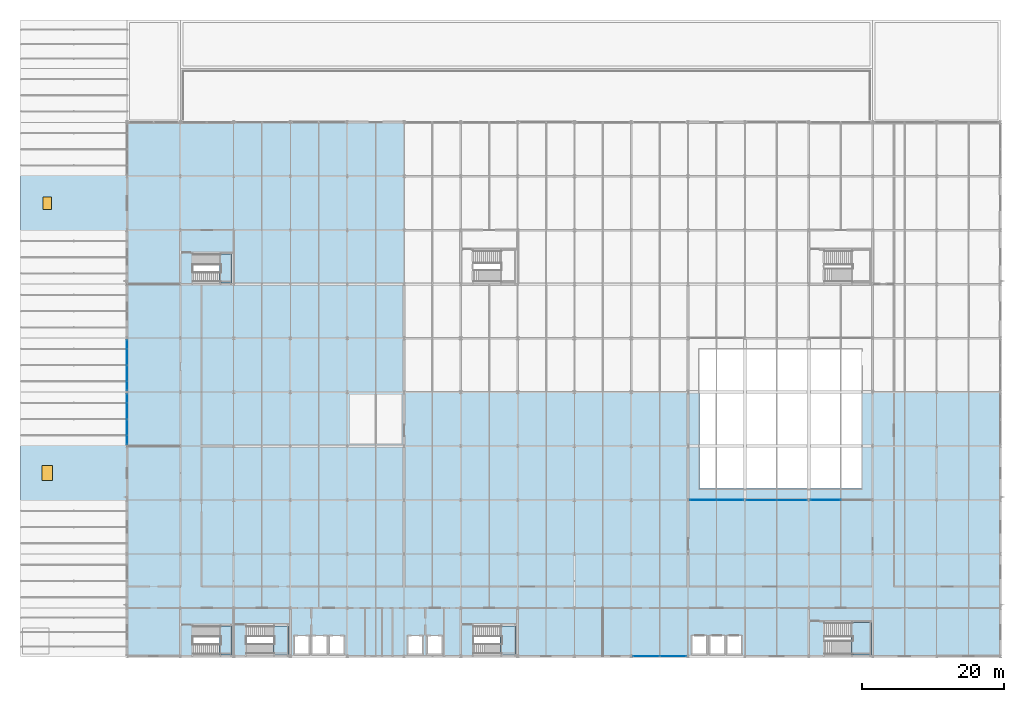
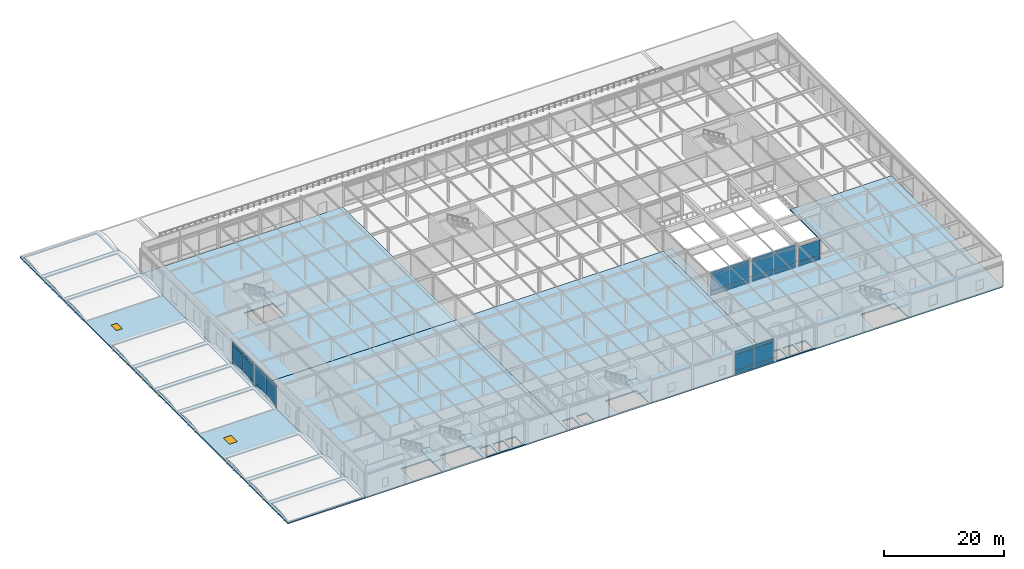
"""IFC4 building model written with IfcOpenShell, lengths in metres."""

from ifc_helpers import new_model, si_unit, direction, frame, origin, origin_2d, place, context, subcontext, project, spatial, polyline, rectangle, outline, extrude, material, layer, layer_set, type_object, element, fill, aggregate, save


model = new_model("IFC4")

# Units and contexts
model_context = context("Model", 3, precision=1e-05, world=origin(), true_north=direction((0.0, 1.0)))
body_context = subcontext(model_context, "Body", "Model", "MODEL_VIEW")
ifc_project = project(units=[si_unit("LENGTHUNIT", "METRE"), si_unit("AREAUNIT", "SQUARE_METRE"), si_unit("VOLUMEUNIT", "CUBIC_METRE"), si_unit("PLANEANGLEUNIT", "RADIAN"), si_unit("MASSUNIT", "GRAM", prefix="KILO")], contexts=[model_context])

# Site, building, storey
site_placement = place(None, origin())
site = spatial("IfcSite", under=ifc_project, at=site_placement, CompositionType="ELEMENT")
building_placement = place(site_placement, origin())
building = spatial("IfcBuilding", under=site, at=building_placement, Name="Shalkamar Park Central Library", CompositionType="ELEMENT")
storey_1_placement = place(building_placement, frame((0.0, 0.0, 10.5)))
storey_1 = spatial("IfcBuildingStorey", under=building, at=storey_1_placement, Name="L03", CompositionType="ELEMENT", Elevation=10.5)

# Curtain wall, plates
ifc_material_1 = material(Name="Thermally broken aluminium and triple low-e curtain wall", Category="aluminium")
ifc_layer_1 = layer(ifc_material_1, 0.25)
ifc_layer_set_1 = layer_set([ifc_layer_1], Name="AtriumGlazedScreen_120")
curtain_wall_type_1 = type_object("IfcCurtainWallType", Name="Atrium Glazed Screen 120", PredefinedType="USERDEFINED", material=ifc_layer_set_1)
curtain_wall_1_placement = place(storey_1_placement, origin())
curtain_wall_1 = element("IfcCurtainWall", 1, at=curtain_wall_1_placement, inside=storey_1, type_object=curtain_wall_type_1, Name="Atrium Glazed Screen CW-L03-177", ObjectType="ATRIUM GLAZED SCREEN", PredefinedType="USERDEFINED")
ifc_material_2 = material(Name="Laminated acoustic interior glass", Category="glass")
ifc_layer_2 = layer(ifc_material_2, 0.02197265625)
ifc_layer_set_2 = layer_set([ifc_layer_2], Name="AcousticGlazedScreenPanel_22")
plate_type_1 = type_object("IfcPlateType", Name="Acoustic Glazed Screen Panel 22", PredefinedType="CURTAIN_PANEL", material=ifc_layer_set_2)
plate_1_placement = place(storey_1_placement, frame((231.125732421875, 270.39990234375, 0.06005859375), z_axis=(0.0, 0.0, 1.0), x_axis=(1.0, 0.0, 0.0)))
plate_1 = element("IfcPlate", 2, at=plate_1_placement, type_object=plate_type_1, Name="CW-120 panel 1.1", PredefinedType="CURTAIN_PANEL", context=body_context, shape_type="SweptSolid", body=[
    extrude(rectangle(XDim=3.693603515625, YDim=0.02197265625, at=origin_2d()), origin(), (0.0, 0.0, 1.0), 0.81005859375),
])
plate_2_placement = place(storey_1_placement, frame((231.125732421875, 270.39990234375, 0.93017578125), z_axis=(0.0, 0.0, 1.0), x_axis=(1.0, 0.0, 0.0)))
plate_2 = element("IfcPlate", 3, at=plate_2_placement, type_object=plate_type_1, Name="CW-120 panel 1.2", PredefinedType="CURTAIN_PANEL", context=body_context, shape_type="SweptSolid", body=[
    extrude(rectangle(XDim=3.693603515625, YDim=0.02197265625, at=origin_2d()), origin(), (0.0, 0.0, 1.0), 3.1298828125),
])
plate_3_placement = place(storey_1_placement, frame((231.125732421875, 270.39990234375, 4.1201171875), z_axis=(0.0, 0.0, 1.0), x_axis=(1.0, 0.0, 0.0)))
plate_3 = element("IfcPlate", 4, at=plate_3_placement, type_object=plate_type_1, Name="CW-120 panel 1.3", PredefinedType="CURTAIN_PANEL", context=body_context, shape_type="SweptSolid", body=[
    extrude(rectangle(XDim=3.693603515625, YDim=0.02197265625, at=origin_2d()), origin(), (0.0, 0.0, 1.0), 0.659912109375),
])
plate_4_placement = place(storey_1_placement, frame((234.894287109375, 270.39990234375, 0.06005859375), z_axis=(0.0, 0.0, 1.0), x_axis=(1.0, 0.0, 0.0)))
plate_4 = element("IfcPlate", 5, at=plate_4_placement, type_object=plate_type_1, Name="CW-120 panel 2.1", PredefinedType="CURTAIN_PANEL", context=body_context, shape_type="SweptSolid", body=[
    extrude(rectangle(XDim=3.693603515625, YDim=0.02197265625, at=origin_2d()), origin(), (0.0, 0.0, 1.0), 0.81005859375),
])
plate_5_placement = place(storey_1_placement, frame((234.894287109375, 270.39990234375, 0.93017578125), z_axis=(0.0, 0.0, 1.0), x_axis=(1.0, 0.0, 0.0)))
plate_5 = element("IfcPlate", 6, at=plate_5_placement, type_object=plate_type_1, Name="CW-120 panel 2.2", PredefinedType="CURTAIN_PANEL", context=body_context, shape_type="SweptSolid", body=[
    extrude(rectangle(XDim=3.693603515625, YDim=0.02197265625, at=origin_2d()), origin(), (0.0, 0.0, 1.0), 3.1298828125),
])
plate_6_placement = place(storey_1_placement, frame((234.894287109375, 270.39990234375, 4.1201171875), z_axis=(0.0, 0.0, 1.0), x_axis=(1.0, 0.0, 0.0)))
plate_6 = element("IfcPlate", 7, at=plate_6_placement, type_object=plate_type_1, Name="CW-120 panel 2.3", PredefinedType="CURTAIN_PANEL", context=body_context, shape_type="SweptSolid", body=[
    extrude(rectangle(XDim=3.693603515625, YDim=0.02197265625, at=origin_2d()), origin(), (0.0, 0.0, 1.0), 0.659912109375),
])
aggregate(curtain_wall_1, [plate_1, plate_2, plate_3, plate_4, plate_5, plate_6])

ifc_layer_3 = layer(ifc_material_1, 0.2548828125)
ifc_layer_set_3 = layer_set([ifc_layer_3], Name="AtriumGlazedScreen_122")
curtain_wall_type_2 = type_object("IfcCurtainWallType", Name="Atrium Glazed Screen 122", PredefinedType="USERDEFINED", material=ifc_layer_set_3)
curtain_wall_2_placement = place(storey_1_placement, origin())
curtain_wall_2 = element("IfcCurtainWall", 8, at=curtain_wall_2_placement, inside=storey_1, type_object=curtain_wall_type_2, Name="Atrium Glazed Screen CW-L03-179", ObjectType="ATRIUM GLAZED SCREEN", PredefinedType="USERDEFINED")
plate_7_placement = place(storey_1_placement, frame((248.376953125, 270.39990234375, 0.06494140625), z_axis=(0.0, 0.0, 1.0), x_axis=(1.0, 0.0, 0.0)))
plate_7 = element("IfcPlate", 9, at=plate_7_placement, type_object=plate_type_1, Name="CW-122 panel 1.1", PredefinedType="CURTAIN_PANEL", context=body_context, shape_type="SweptSolid", body=[
    extrude(rectangle(XDim=4.18603515625, YDim=0.02197265625, at=origin_2d()), origin(), (0.0, 0.0, 1.0), 0.802490234375),
])
plate_8_placement = place(storey_1_placement, frame((248.376953125, 270.39990234375, 0.9326171875), z_axis=(0.0, 0.0, 1.0), x_axis=(1.0, 0.0, 0.0)))
plate_8 = element("IfcPlate", 10, at=plate_8_placement, type_object=plate_type_1, Name="CW-122 panel 1.2", PredefinedType="CURTAIN_PANEL", context=body_context, shape_type="SweptSolid", body=[
    extrude(rectangle(XDim=4.18603515625, YDim=0.02197265625, at=origin_2d()), origin(), (0.0, 0.0, 1.0), 3.125),
])
aggregate(curtain_wall_2, [plate_7, plate_8])

# Slab, openings
ifc_material_3 = material(Name="Concrete C35/45", Category="concrete")
ifc_layer_4 = layer(ifc_material_3, 0.25)
ifc_layer_set_4 = layer_set([ifc_layer_4], Name="Concrete C35/45")
slab_type_1 = type_object("IfcSlabType", Name="Flat Roof Slab 140", PredefinedType="ROOF", material=ifc_layer_set_4)
slab_1_placement = place(storey_1_placement, frame((0.0, 0.0, -0.25)))
slab_1 = element("IfcSlab", 11, at=slab_1_placement, inside=storey_1, type_object=slab_type_1, Name="Flat Roof Slab RF-L02-W", PredefinedType="ROOF", context=body_context, shape_type="SweptSolid", body=[
    extrude(outline(polyline([(135.0, 248.39990234375), (150.0, 248.39990234375), (150.0, 338.0), (135.0, 338.0), (135.0, 248.39990234375)]), holes=[polyline([(135.449951171875, 248.85009765625), (149.550048828125, 248.85009765625), (149.550048828125, 254.75), (135.449951171875, 254.75), (135.449951171875, 248.85009765625)]), polyline([(135.449951171875, 255.64990234375), (149.550048828125, 255.64990234375), (149.550048828125, 262.35009765625), (135.449951171875, 262.35009765625), (135.449951171875, 255.64990234375)]), polyline([(135.449951171875, 263.25), (149.550048828125, 263.25), (149.550048828125, 269.949951171875), (135.449951171875, 269.949951171875), (135.449951171875, 263.25)]), polyline([(135.449951171875, 278.449951171875), (149.550048828125, 278.449951171875), (149.550048828125, 285.14990234375), (135.449951171875, 285.14990234375), (135.449951171875, 278.449951171875)]), polyline([(135.449951171875, 286.050048828125), (149.550048828125, 286.050048828125), (149.550048828125, 292.75), (135.449951171875, 292.75), (135.449951171875, 286.050048828125)]), polyline([(135.449951171875, 293.64990234375), (149.550048828125, 293.64990234375), (149.550048828125, 300.35009765625), (135.449951171875, 300.35009765625), (135.449951171875, 293.64990234375)]), polyline([(135.449951171875, 301.25), (149.550048828125, 301.25), (149.550048828125, 307.949951171875), (135.449951171875, 307.949951171875), (135.449951171875, 301.25)]), polyline([(135.449951171875, 316.449951171875), (149.550048828125, 316.449951171875), (149.550048828125, 323.14990234375), (135.449951171875, 323.14990234375), (135.449951171875, 316.449951171875)]), polyline([(135.449951171875, 324.050048828125), (149.550048828125, 324.050048828125), (149.550048828125, 330.75), (135.449951171875, 330.75), (135.449951171875, 324.050048828125)]), polyline([(135.449951171875, 331.64990234375), (149.550048828125, 331.64990234375), (149.550048828125, 337.550048828125), (135.449951171875, 337.550048828125), (135.449951171875, 331.64990234375)])]), origin(), (0.0, 0.0, 1.0), 0.25),
])
opening_1_placement = place(slab_1_placement, frame((138.75, 274.199951171875, -0.010009765625)))
opening_1 = element("IfcOpeningElement", 12, at=opening_1_placement, cuts=slab_1, Name="Opening SK-05", PredefinedType="OPENING", context=body_context, shape_type="SweptSolid", body=[
    extrude(rectangle(XDim=1.5, YDim=2.10009765625, at=origin_2d()), origin(), (0.0, 0.0, 1.0), 0.27001953125),
])
opening_2_placement = place(slab_1_placement, frame((138.75, 312.199951171875, -0.010009765625)))
opening_2 = element("IfcOpeningElement", 13, at=opening_2_placement, cuts=slab_1, Name="Opening SK-06", PredefinedType="OPENING", context=body_context, shape_type="SweptSolid", body=[
    extrude(rectangle(XDim=1.199951171875, YDim=1.800048828125, at=origin_2d()), origin(), (0.0, 0.0, 1.0), 0.27001953125),
])

# Storey
storey_2_placement = place(building_placement, frame((0.0, 0.0, 5.39990234375)))
storey_2 = spatial("IfcBuildingStorey", under=building, at=storey_2_placement, Name="L02", CompositionType="ELEMENT", Elevation=5.39990234375)

# Window
ifc_material_4 = material(Name="Thermally broken aluminium and triple low-e glass", Category="glass")
window_type_1 = type_object("IfcWindowType", Name="Roof Skylight 1200x1800", PartitioningType="SINGLE_PANEL", PredefinedType="SKYLIGHT", material=ifc_material_4)
window_1_placement = place(opening_2_placement, frame((0.0, 0.0, 0.2099609375)))
window_1 = element("IfcWindow", 14, at=window_1_placement, inside=storey_2, type_object=window_type_1, Name="Roof Skylight SK-L02-06", OverallHeight=1.800048828125, OverallWidth=1.199951171875, PartitioningType="SINGLE_PANEL", PredefinedType="SKYLIGHT", context=body_context, shape_type="SweptSolid", body=[
    extrude(rectangle(XDim=1.199951171875, YDim=1.800048828125, at=origin_2d()), origin(), (0.0, 0.0, 1.0), 0.050048828125),
])

fill(opening_2, window_1)

window_type_2 = type_object("IfcWindowType", Name="Roof Skylight 1500x2100", PartitioningType="SINGLE_PANEL", PredefinedType="SKYLIGHT", material=ifc_material_4)
window_2_placement = place(opening_1_placement, frame((0.0, 0.0, 0.2099609375)))
window_2 = element("IfcWindow", 15, at=window_2_placement, inside=storey_2, type_object=window_type_2, Name="Roof Skylight SK-L02-05", OverallHeight=2.10009765625, OverallWidth=1.5, PartitioningType="SINGLE_PANEL", PredefinedType="SKYLIGHT", context=body_context, shape_type="SweptSolid", body=[
    extrude(rectangle(XDim=1.5, YDim=2.10009765625, at=origin_2d()), origin(), (0.0, 0.0, 1.0), 0.050048828125),
])

fill(opening_1, window_2)

# Curtain wall, plates
ifc_layer_5 = layer(ifc_material_1, 0.260009765625)
ifc_layer_set_5 = layer_set([ifc_layer_5], Name="AtriumGlazedScreen_121")
curtain_wall_type_3 = type_object("IfcCurtainWallType", Name="Atrium Glazed Screen 121", PredefinedType="USERDEFINED", material=ifc_layer_set_5)
curtain_wall_3_placement = place(storey_1_placement, origin())
curtain_wall_3 = element("IfcCurtainWall", 16, at=curtain_wall_3_placement, inside=storey_1, type_object=curtain_wall_type_3, Name="Atrium Glazed Screen CW-L03-178", ObjectType="ATRIUM GLAZED SCREEN", PredefinedType="USERDEFINED")
ifc_material_5 = material(Name="Tempered clear atrium glass", Category="glass")
ifc_layer_6 = layer(ifc_material_5, 0.011962890625)
ifc_layer_set_6 = layer_set([ifc_layer_6], Name="InteriorAtriumGlassPanel_12")
plate_type_2 = type_object("IfcPlateType", Name="Interior Atrium Glass Panel 12", PredefinedType="CURTAIN_PANEL", material=ifc_layer_set_6)
plate_9_placement = place(storey_1_placement, frame((239.355712890625, 270.39990234375, 0.06005859375), z_axis=(0.0, 0.0, 1.0), x_axis=(1.0, 0.0, 0.0)))
plate_9 = element("IfcPlate", 17, at=plate_9_placement, type_object=plate_type_2, Name="CW-121 panel 1.1", PredefinedType="CURTAIN_PANEL", context=body_context, shape_type="SweptSolid", body=[
    extrude(rectangle(XDim=4.193603515625, YDim=0.011962890625, at=origin_2d()), origin(), (0.0, 0.0, 1.0), 0.81005859375),
])
plate_10_placement = place(storey_1_placement, frame((239.355712890625, 270.39990234375, 0.93017578125), z_axis=(0.0, 0.0, 1.0), x_axis=(1.0, 0.0, 0.0)))
plate_10 = element("IfcPlate", 18, at=plate_10_placement, type_object=plate_type_2, Name="CW-121 panel 1.2", PredefinedType="CURTAIN_PANEL", context=body_context, shape_type="SweptSolid", body=[
    extrude(rectangle(XDim=4.193603515625, YDim=0.011962890625, at=origin_2d()), origin(), (0.0, 0.0, 1.0), 3.1298828125),
])
plate_11_placement = place(storey_1_placement, frame((239.355712890625, 270.39990234375, 4.1201171875), z_axis=(0.0, 0.0, 1.0), x_axis=(1.0, 0.0, 0.0)))
plate_11 = element("IfcPlate", 19, at=plate_11_placement, type_object=plate_type_2, Name="CW-121 panel 1.3", PredefinedType="CURTAIN_PANEL", context=body_context, shape_type="SweptSolid", body=[
    extrude(rectangle(XDim=4.193603515625, YDim=0.011962890625, at=origin_2d()), origin(), (0.0, 0.0, 1.0), 0.659912109375),
])
plate_12_placement = place(storey_1_placement, frame((243.624267578125, 270.39990234375, 0.06005859375), z_axis=(0.0, 0.0, 1.0), x_axis=(1.0, 0.0, 0.0)))
plate_12 = element("IfcPlate", 20, at=plate_12_placement, type_object=plate_type_2, Name="CW-121 panel 2.1", PredefinedType="CURTAIN_PANEL", context=body_context, shape_type="SweptSolid", body=[
    extrude(rectangle(XDim=4.193603515625, YDim=0.011962890625, at=origin_2d()), origin(), (0.0, 0.0, 1.0), 0.81005859375),
])
plate_13_placement = place(storey_1_placement, frame((243.624267578125, 270.39990234375, 0.93017578125), z_axis=(0.0, 0.0, 1.0), x_axis=(1.0, 0.0, 0.0)))
plate_13 = element("IfcPlate", 21, at=plate_13_placement, type_object=plate_type_2, Name="CW-121 panel 2.2", PredefinedType="CURTAIN_PANEL", context=body_context, shape_type="SweptSolid", body=[
    extrude(rectangle(XDim=4.193603515625, YDim=0.011962890625, at=origin_2d()), origin(), (0.0, 0.0, 1.0), 3.1298828125),
])
plate_14_placement = place(storey_1_placement, frame((243.624267578125, 270.39990234375, 4.1201171875), z_axis=(0.0, 0.0, 1.0), x_axis=(1.0, 0.0, 0.0)))
plate_14 = element("IfcPlate", 22, at=plate_14_placement, type_object=plate_type_2, Name="CW-121 panel 2.3", PredefinedType="CURTAIN_PANEL", context=body_context, shape_type="SweptSolid", body=[
    extrude(rectangle(XDim=4.193603515625, YDim=0.011962890625, at=origin_2d()), origin(), (0.0, 0.0, 1.0), 0.659912109375),
])
aggregate(curtain_wall_3, [plate_9, plate_10, plate_11, plate_12, plate_13, plate_14])

# Stair, slab
stair_type_1 = type_object("IfcStairType", Name="Protected Dog Leg Stair 150x510", PredefinedType="TWO_STRAIGHT_RUN_STAIR", material=ifc_material_3)
stair_1_placement = place(storey_1_placement, origin())
stair_1 = element("IfcStair", 23, at=stair_1_placement, inside=storey_1, type_object=stair_type_1, Name="Protected Core Stair ST-T1-L03", PredefinedType="TWO_STRAIGHT_RUN_STAIR")
ifc_layer_7 = layer(ifc_material_3, 0.280029296875)
ifc_layer_set_7 = layer_set([ifc_layer_7], Name="Concrete C35/45")
slab_type_2 = type_object("IfcSlabType", Name="Stair Landing Slab 160", PredefinedType="LANDING", material=ifc_layer_set_7)
slab_2_placement = place(storey_1_placement, frame((0.0, 0.0, 2.27001953125)))
slab_2 = element("IfcSlab", 24, at=slab_2_placement, type_object=slab_type_2, Name="ST-T1-L03 landing 1", PredefinedType="LANDING", context=body_context, shape_type="SweptSolid", body=[
    extrude(outline(polyline([(170.5400390625, 248.6201171875), (172.780029296875, 248.6201171875), (172.780029296875, 252.679931640625), (170.5400390625, 252.679931640625), (170.5400390625, 248.6201171875)])), origin(), (0.0, 0.0, 1.0), 0.280029296875),
])
aggregate(stair_1, [slab_2])

stair_2_placement = place(storey_1_placement, origin())
stair_2 = element("IfcStair", 25, at=stair_2_placement, inside=storey_1, type_object=stair_type_1, Name="Protected Core Stair ST-T2-L03", PredefinedType="TWO_STRAIGHT_RUN_STAIR")
slab_3_placement = place(storey_1_placement, frame((0.0, 0.0, 2.27001953125)))
slab_3 = element("IfcSlab", 26, at=slab_3_placement, type_object=slab_type_2, Name="ST-T2-L03 landing 1", PredefinedType="LANDING", context=body_context, shape_type="SweptSolid", body=[
    extrude(outline(polyline([(202.5400390625, 248.6201171875), (204.780029296875, 248.6201171875), (204.780029296875, 252.679931640625), (202.5400390625, 252.679931640625), (202.5400390625, 248.6201171875)])), origin(), (0.0, 0.0, 1.0), 0.280029296875),
])
aggregate(stair_2, [slab_3])

stair_3_placement = place(storey_1_placement, origin())
stair_3 = element("IfcStair", 27, at=stair_3_placement, inside=storey_1, type_object=stair_type_1, Name="Protected Core Stair ST-P1-L03", PredefinedType="TWO_STRAIGHT_RUN_STAIR")
slab_4_placement = place(storey_1_placement, frame((0.0, 0.0, 2.27001953125)))
slab_4 = element("IfcSlab", 28, at=slab_4_placement, type_object=slab_type_2, Name="ST-P1-L03 landing 1", PredefinedType="LANDING", context=body_context, shape_type="SweptSolid", body=[
    extrude(outline(polyline([(163.014892578125, 248.594970703125), (164.804931640625, 248.594970703125), (164.804931640625, 252.655029296875), (163.014892578125, 252.655029296875), (163.014892578125, 248.594970703125)])), origin(), (0.0, 0.0, 1.0), 0.280029296875),
])
aggregate(stair_3, [slab_4])

stair_4_placement = place(storey_1_placement, origin())
stair_4 = element("IfcStair", 29, at=stair_4_placement, inside=storey_1, type_object=stair_type_1, Name="Protected Core Stair ST-P2-L03", PredefinedType="TWO_STRAIGHT_RUN_STAIR")
slab_5_placement = place(storey_1_placement, frame((0.0, 0.0, 2.27001953125)))
slab_5 = element("IfcSlab", 30, at=slab_5_placement, type_object=slab_type_2, Name="ST-P2-L03 landing 1", PredefinedType="LANDING", context=body_context, shape_type="SweptSolid", body=[
    extrude(outline(polyline([(163.014892578125, 300.9951171875), (164.804931640625, 300.9951171875), (164.804931640625, 305.054931640625), (163.014892578125, 305.054931640625), (163.014892578125, 300.9951171875)])), origin(), (0.0, 0.0, 1.0), 0.280029296875),
])
aggregate(stair_4, [slab_5])

stair_type_2 = type_object("IfcStairType", Name="Protected Dog Leg Stair 200x510", PredefinedType="TWO_STRAIGHT_RUN_STAIR", material=ifc_material_3)
stair_5_placement = place(storey_1_placement, origin())
stair_5 = element("IfcStair", 31, at=stair_5_placement, inside=storey_1, type_object=stair_type_2, Name="Protected Core Stair ST-P3-L03", PredefinedType="TWO_STRAIGHT_RUN_STAIR")
slab_6_placement = place(storey_1_placement, frame((0.0, 0.0, 2.27001953125)))
slab_6 = element("IfcSlab", 32, at=slab_6_placement, type_object=slab_type_2, Name="ST-P3-L03 landing 1", PredefinedType="LANDING", context=body_context, shape_type="SweptSolid", body=[
    extrude(outline(polyline([(251.965087890625, 248.594970703125), (254.804931640625, 248.594970703125), (254.804931640625, 253.155029296875), (251.965087890625, 253.155029296875), (251.965087890625, 248.594970703125)])), origin(), (0.0, 0.0, 1.0), 0.280029296875),
])
aggregate(stair_5, [slab_6])

# Slabs
ifc_layer_8 = layer(ifc_material_3, 0.239990234375)
ifc_layer_set_8 = layer_set([ifc_layer_8], Name="Concrete C35/45")
slab_type_3 = type_object("IfcSlabType", Name="Suspended Floor Slab 240", PredefinedType="FLOOR", material=ifc_layer_set_8)
slab_7_placement = place(storey_1_placement, frame((0.0, 0.0, -0.239990234375)))
element("IfcSlab", 33, at=slab_7_placement, inside=storey_1, type_object=slab_type_3, Name="Level L03 Composite Floor Slab SW", PredefinedType="FLOOR", context=body_context, shape_type="SweptSolid", body=[
    extrude(outline(polyline([(150.0, 248.39990234375), (150.0, 285.60009765625), (189.0, 285.60009765625), (189.0, 248.39990234375), (150.0, 248.39990234375)]), holes=[polyline([(175.580078125, 251.22998046875), (173.6201171875, 251.22998046875), (173.6201171875, 248.77001953125), (175.580078125, 248.77001953125), (175.580078125, 251.22998046875)]), polyline([(178.080078125, 251.22998046875), (176.1201171875, 251.22998046875), (176.1201171875, 248.77001953125), (178.080078125, 248.77001953125), (178.080078125, 251.22998046875)]), polyline([(180.47998046875, 251.22998046875), (178.52001953125, 251.22998046875), (178.52001953125, 248.77001953125), (180.47998046875, 248.77001953125), (180.47998046875, 251.22998046875)]), polyline([(164.824951171875, 252.675048828125), (159.27490234375, 252.675048828125), (159.27490234375, 248.574951171875), (164.824951171875, 248.574951171875), (164.824951171875, 252.675048828125)]), polyline([(172.800048828125, 252.699951171875), (166.800048828125, 252.699951171875), (166.800048828125, 248.60009765625), (172.800048828125, 248.60009765625), (172.800048828125, 252.699951171875)])]), origin(), (0.0, 0.0, 1.0), 0.239990234375),
])
slab_8_placement = place(storey_1_placement, frame((0.0, 0.0, -0.239990234375)))
element("IfcSlab", 34, at=slab_8_placement, inside=storey_1, type_object=slab_type_3, Name="Level L03 Composite Floor Slab SC", PredefinedType="FLOOR", context=body_context, shape_type="SweptSolid", body=[
    extrude(outline(polyline([(189.0, 248.39990234375), (189.0, 285.60009765625), (229.0, 285.60009765625), (229.0, 248.39990234375), (189.0, 248.39990234375)]), holes=[polyline([(191.580078125, 251.22998046875), (189.6201171875, 251.22998046875), (189.6201171875, 248.77001953125), (191.580078125, 248.77001953125), (191.580078125, 251.22998046875)]), polyline([(194.280029296875, 251.22998046875), (192.320068359375, 251.22998046875), (192.320068359375, 248.77001953125), (194.280029296875, 248.77001953125), (194.280029296875, 251.22998046875)]), polyline([(204.800048828125, 252.699951171875), (198.800048828125, 252.699951171875), (198.800048828125, 248.60009765625), (204.800048828125, 248.60009765625), (204.800048828125, 252.699951171875)])]), origin(), (0.0, 0.0, 1.0), 0.239990234375),
])
slab_9_placement = place(storey_1_placement, frame((0.0, 0.0, -0.239990234375)))
element("IfcSlab", 35, at=slab_9_placement, inside=storey_1, type_object=slab_type_3, Name="Level L03 Composite Floor Slab SE", PredefinedType="FLOOR", context=body_context, shape_type="SweptSolid", body=[
    extrude(outline(polyline([(273.0, 285.60009765625), (273.0, 248.39990234375), (229.0, 248.39990234375), (229.0, 285.60009765625), (230.60009765625, 285.60009765625), (230.60009765625, 272.0), (253.39990234375, 272.0), (253.39990234375, 285.60009765625), (273.0, 285.60009765625)]), holes=[polyline([(231.580078125, 251.22998046875), (229.6201171875, 251.22998046875), (229.6201171875, 248.77001953125), (231.580078125, 248.77001953125), (231.580078125, 251.22998046875)]), polyline([(234.080078125, 251.22998046875), (232.1201171875, 251.22998046875), (232.1201171875, 248.77001953125), (234.080078125, 248.77001953125), (234.080078125, 251.22998046875)]), polyline([(236.47998046875, 251.22998046875), (234.52001953125, 251.22998046875), (234.52001953125, 248.77001953125), (236.47998046875, 248.77001953125), (236.47998046875, 251.22998046875)]), polyline([(254.824951171875, 253.175048828125), (248.22509765625, 253.175048828125), (248.22509765625, 248.574951171875), (254.824951171875, 248.574951171875), (254.824951171875, 253.175048828125)])]), origin(), (0.0, 0.0, 1.0), 0.239990234375),
])
slab_10_placement = place(storey_1_placement, frame((0.0, 0.0, -0.239990234375)))
element("IfcSlab", 36, at=slab_10_placement, inside=storey_1, type_object=slab_type_3, Name="Level L03 Composite Floor Slab NW", PredefinedType="FLOOR", context=body_context, shape_type="SweptSolid", body=[
    extrude(outline(polyline([(150.0, 285.60009765625), (150.0, 323.60009765625), (189.0, 323.60009765625), (189.0, 285.60009765625), (150.0, 285.60009765625)]), holes=[polyline([(164.824951171875, 305.074951171875), (159.27490234375, 305.074951171875), (159.27490234375, 300.97509765625), (164.824951171875, 300.97509765625), (164.824951171875, 305.074951171875)])]), origin(), (0.0, 0.0, 1.0), 0.239990234375),
])

# Curtain wall, plates
ifc_layer_9 = layer(ifc_material_1, 0.27001953125)
ifc_layer_set_9 = layer_set([ifc_layer_9], Name="UnitisedCurtainWall_50")
curtain_wall_type_4 = type_object("IfcCurtainWallType", Name="Unitised Curtain Wall 50", PredefinedType="USERDEFINED", material=ifc_layer_set_9)
curtain_wall_4_placement = place(storey_1_placement, origin())
curtain_wall_4 = element("IfcCurtainWall", 37, at=curtain_wall_4_placement, inside=storey_1, type_object=curtain_wall_type_4, Name="Unitised Curtain Wall CW-L03-061", ObjectType="UNITISED CURTAIN WALL", PredefinedType="USERDEFINED")
ifc_material_6 = material(Name="Triple-glazed laminated glass", Category="glass")
ifc_layer_10 = layer(ifc_material_6, 0.06005859375)
ifc_layer_set_10 = layer_set([ifc_layer_10], Name="TripleGlazedPodiumPanel_60")
plate_type_3 = type_object("IfcPlateType", Name="Triple Glazed Podium Panel 60", PredefinedType="CURTAIN_PANEL", material=ifc_layer_set_10)
plate_15_placement = place(storey_1_placement, frame((150.0, 287.6220703125, 0.06494140625), z_axis=(0.0, 0.0, 1.0), x_axis=(0.0, 1.0, 0.0)))
plate_15 = element("IfcPlate", 38, at=plate_15_placement, type_object=plate_type_3, Name="CW-50 panel 1.1", PredefinedType="CURTAIN_PANEL", context=body_context, shape_type="SweptSolid", body=[
    extrude(rectangle(XDim=3.47607421875, YDim=0.06005859375, at=origin_2d()), origin(), (0.0, 0.0, 1.0), 0.802490234375),
])
plate_16_placement = place(storey_1_placement, frame((150.0, 287.6220703125, 0.9326171875), z_axis=(0.0, 0.0, 1.0), x_axis=(0.0, 1.0, 0.0)))
plate_16 = element("IfcPlate", 39, at=plate_16_placement, type_object=plate_type_3, Name="CW-50 panel 1.2", PredefinedType="CURTAIN_PANEL", context=body_context, shape_type="SweptSolid", body=[
    extrude(rectangle(XDim=3.47607421875, YDim=0.06005859375, at=origin_2d()), origin(), (0.0, 0.0, 1.0), 3.135009765625),
])
plate_17_placement = place(storey_1_placement, frame((150.0, 287.6220703125, 4.13232421875), z_axis=(0.0, 0.0, 1.0), x_axis=(0.0, 1.0, 0.0)))
plate_17 = element("IfcPlate", 40, at=plate_17_placement, type_object=plate_type_3, Name="CW-50 panel 1.3", PredefinedType="CURTAIN_PANEL", context=body_context, shape_type="SweptSolid", body=[
    extrude(rectangle(XDim=3.47607421875, YDim=0.06005859375, at=origin_2d()), origin(), (0.0, 0.0, 1.0), 0.652587890625),
])
plate_18_placement = place(storey_1_placement, frame((150.0, 291.177978515625, 0.06494140625), z_axis=(0.0, 0.0, 1.0), x_axis=(0.0, 1.0, 0.0)))
plate_18 = element("IfcPlate", 41, at=plate_18_placement, type_object=plate_type_3, Name="CW-50 panel 2.1", PredefinedType="CURTAIN_PANEL", context=body_context, shape_type="SweptSolid", body=[
    extrude(rectangle(XDim=3.47607421875, YDim=0.06005859375, at=origin_2d()), origin(), (0.0, 0.0, 1.0), 0.802490234375),
])
plate_19_placement = place(storey_1_placement, frame((150.0, 291.177978515625, 0.9326171875), z_axis=(0.0, 0.0, 1.0), x_axis=(0.0, 1.0, 0.0)))
plate_19 = element("IfcPlate", 42, at=plate_19_placement, type_object=plate_type_3, Name="CW-50 panel 2.2", PredefinedType="CURTAIN_PANEL", context=body_context, shape_type="SweptSolid", body=[
    extrude(rectangle(XDim=3.47607421875, YDim=0.06005859375, at=origin_2d()), origin(), (0.0, 0.0, 1.0), 3.135009765625),
])
plate_20_placement = place(storey_1_placement, frame((150.0, 291.177978515625, 4.13232421875), z_axis=(0.0, 0.0, 1.0), x_axis=(0.0, 1.0, 0.0)))
plate_20 = element("IfcPlate", 43, at=plate_20_placement, type_object=plate_type_3, Name="CW-50 panel 2.3", PredefinedType="CURTAIN_PANEL", context=body_context, shape_type="SweptSolid", body=[
    extrude(rectangle(XDim=3.47607421875, YDim=0.06005859375, at=origin_2d()), origin(), (0.0, 0.0, 1.0), 0.652587890625),
])
aggregate(curtain_wall_4, [plate_15, plate_16, plate_17, plate_18, plate_19, plate_20])

ifc_layer_11 = layer(ifc_material_1, 0.264892578125)
ifc_layer_set_11 = layer_set([ifc_layer_11], Name="UnitisedCurtainWall_40")
curtain_wall_type_5 = type_object("IfcCurtainWallType", Name="Unitised Curtain Wall 40", PredefinedType="USERDEFINED", material=ifc_layer_set_11)
curtain_wall_5_placement = place(storey_1_placement, origin())
curtain_wall_5 = element("IfcCurtainWall", 44, at=curtain_wall_5_placement, inside=storey_1, type_object=curtain_wall_type_5, Name="Unitised Curtain Wall CW-L03-046", ObjectType="UNITISED CURTAIN WALL", PredefinedType="USERDEFINED")
ifc_material_7 = material(Name="Triple-glazed low-e safety glass", Category="glass")
ifc_layer_12 = layer(ifc_material_7, 0.0439453125)
ifc_layer_set_12 = layer_set([ifc_layer_12], Name="TripleGlazedVisionPanel_44")
plate_type_4 = type_object("IfcPlateType", Name="Triple Glazed Vision Panel 44", PredefinedType="CURTAIN_PANEL", material=ifc_layer_set_12)
plate_21_placement = place(storey_1_placement, frame((223.129150390625, 248.39990234375, 0.070068359375), z_axis=(0.0, 0.0, 1.0), x_axis=(1.0, 0.0, 0.0)))
plate_21 = element("IfcPlate", 45, at=plate_21_placement, type_object=plate_type_4, Name="CW-40 panel 1.1", PredefinedType="CURTAIN_PANEL", context=body_context, shape_type="SweptSolid", body=[
    extrude(rectangle(XDim=3.66455078125, YDim=0.0439453125, at=origin_2d()), origin(), (0.0, 0.0, 1.0), 0.794921875),
])
plate_22_placement = place(storey_1_placement, frame((223.129150390625, 248.39990234375, 0.93505859375), z_axis=(0.0, 0.0, 1.0), x_axis=(1.0, 0.0, 0.0)))
plate_22 = element("IfcPlate", 46, at=plate_22_placement, type_object=plate_type_4, Name="CW-40 panel 1.2", PredefinedType="CURTAIN_PANEL", context=body_context, shape_type="SweptSolid", body=[
    extrude(rectangle(XDim=3.66455078125, YDim=0.0439453125, at=origin_2d()), origin(), (0.0, 0.0, 1.0), 3.1201171875),
])
plate_23_placement = place(storey_1_placement, frame((223.129150390625, 248.39990234375, 4.125), z_axis=(0.0, 0.0, 1.0), x_axis=(1.0, 0.0, 0.0)))
plate_23 = element("IfcPlate", 47, at=plate_23_placement, type_object=plate_type_4, Name="CW-40 panel 1.3", PredefinedType="CURTAIN_PANEL", context=body_context, shape_type="SweptSolid", body=[
    extrude(rectangle(XDim=3.66455078125, YDim=0.0439453125, at=origin_2d()), origin(), (0.0, 0.0, 1.0), 0.64501953125),
])
plate_24_placement = place(storey_1_placement, frame((226.878662109375, 248.39990234375, 0.070068359375), z_axis=(0.0, 0.0, 1.0), x_axis=(1.0, 0.0, 0.0)))
plate_24 = element("IfcPlate", 48, at=plate_24_placement, type_object=plate_type_4, Name="CW-40 panel 2.1", PredefinedType="CURTAIN_PANEL", context=body_context, shape_type="SweptSolid", body=[
    extrude(rectangle(XDim=3.66455078125, YDim=0.0439453125, at=origin_2d()), origin(), (0.0, 0.0, 1.0), 0.794921875),
])
plate_25_placement = place(storey_1_placement, frame((226.878662109375, 248.39990234375, 0.93505859375), z_axis=(0.0, 0.0, 1.0), x_axis=(1.0, 0.0, 0.0)))
plate_25 = element("IfcPlate", 49, at=plate_25_placement, type_object=plate_type_4, Name="CW-40 panel 2.2", PredefinedType="CURTAIN_PANEL", context=body_context, shape_type="SweptSolid", body=[
    extrude(rectangle(XDim=3.66455078125, YDim=0.0439453125, at=origin_2d()), origin(), (0.0, 0.0, 1.0), 3.1201171875),
])
plate_26_placement = place(storey_1_placement, frame((226.878662109375, 248.39990234375, 4.125), z_axis=(0.0, 0.0, 1.0), x_axis=(1.0, 0.0, 0.0)))
plate_26 = element("IfcPlate", 50, at=plate_26_placement, type_object=plate_type_4, Name="CW-40 panel 2.3", PredefinedType="CURTAIN_PANEL", context=body_context, shape_type="SweptSolid", body=[
    extrude(rectangle(XDim=3.66455078125, YDim=0.0439453125, at=origin_2d()), origin(), (0.0, 0.0, 1.0), 0.64501953125),
])
aggregate(curtain_wall_5, [plate_21, plate_22, plate_23, plate_24, plate_25, plate_26])

ifc_layer_13 = layer(ifc_material_1, 0.2548828125)
ifc_layer_set_13 = layer_set([ifc_layer_13], Name="UnitisedCurtainWall_49")
curtain_wall_type_6 = type_object("IfcCurtainWallType", Name="Unitised Curtain Wall 49", PredefinedType="USERDEFINED", material=ifc_layer_set_13)
curtain_wall_6_placement = place(storey_1_placement, origin())
curtain_wall_6 = element("IfcCurtainWall", 51, at=curtain_wall_6_placement, inside=storey_1, type_object=curtain_wall_type_6, Name="Unitised Curtain Wall CW-L03-060", ObjectType="UNITISED CURTAIN WALL", PredefinedType="USERDEFINED")
plate_27_placement = place(storey_1_placement, frame((150.0, 280.02197265625, 0.06494140625), z_axis=(0.0, 0.0, 1.0), x_axis=(0.0, 1.0, 0.0)))
plate_27 = element("IfcPlate", 52, at=plate_27_placement, type_object=plate_type_4, Name="CW-49 panel 1.1", PredefinedType="CURTAIN_PANEL", context=body_context, shape_type="SweptSolid", body=[
    extrude(rectangle(XDim=3.47607421875, YDim=0.0439453125, at=origin_2d()), origin(), (0.0, 0.0, 1.0), 0.802490234375),
])
plate_28_placement = place(storey_1_placement, frame((150.0, 280.02197265625, 0.9326171875), z_axis=(0.0, 0.0, 1.0), x_axis=(0.0, 1.0, 0.0)))
plate_28 = element("IfcPlate", 53, at=plate_28_placement, type_object=plate_type_4, Name="CW-49 panel 1.2", PredefinedType="CURTAIN_PANEL", context=body_context, shape_type="SweptSolid", body=[
    extrude(rectangle(XDim=3.47607421875, YDim=0.0439453125, at=origin_2d()), origin(), (0.0, 0.0, 1.0), 3.135009765625),
])
plate_29_placement = place(storey_1_placement, frame((150.0, 280.02197265625, 4.13232421875), z_axis=(0.0, 0.0, 1.0), x_axis=(0.0, 1.0, 0.0)))
plate_29 = element("IfcPlate", 54, at=plate_29_placement, type_object=plate_type_4, Name="CW-49 panel 1.3", PredefinedType="CURTAIN_PANEL", context=body_context, shape_type="SweptSolid", body=[
    extrude(rectangle(XDim=3.47607421875, YDim=0.0439453125, at=origin_2d()), origin(), (0.0, 0.0, 1.0), 0.652587890625),
])
plate_30_placement = place(storey_1_placement, frame((150.0, 283.577880859375, 0.06494140625), z_axis=(0.0, 0.0, 1.0), x_axis=(0.0, 1.0, 0.0)))
plate_30 = element("IfcPlate", 55, at=plate_30_placement, type_object=plate_type_4, Name="CW-49 panel 2.1", PredefinedType="CURTAIN_PANEL", context=body_context, shape_type="SweptSolid", body=[
    extrude(rectangle(XDim=3.47607421875, YDim=0.0439453125, at=origin_2d()), origin(), (0.0, 0.0, 1.0), 0.802490234375),
])
plate_31_placement = place(storey_1_placement, frame((150.0, 283.577880859375, 0.9326171875), z_axis=(0.0, 0.0, 1.0), x_axis=(0.0, 1.0, 0.0)))
plate_31 = element("IfcPlate", 56, at=plate_31_placement, type_object=plate_type_4, Name="CW-49 panel 2.2", PredefinedType="CURTAIN_PANEL", context=body_context, shape_type="SweptSolid", body=[
    extrude(rectangle(XDim=3.47607421875, YDim=0.0439453125, at=origin_2d()), origin(), (0.0, 0.0, 1.0), 3.135009765625),
])
plate_32_placement = place(storey_1_placement, frame((150.0, 283.577880859375, 4.13232421875), z_axis=(0.0, 0.0, 1.0), x_axis=(0.0, 1.0, 0.0)))
plate_32 = element("IfcPlate", 57, at=plate_32_placement, type_object=plate_type_4, Name="CW-49 panel 2.3", PredefinedType="CURTAIN_PANEL", context=body_context, shape_type="SweptSolid", body=[
    extrude(rectangle(XDim=3.47607421875, YDim=0.0439453125, at=origin_2d()), origin(), (0.0, 0.0, 1.0), 0.652587890625),
])
aggregate(curtain_wall_6, [plate_27, plate_28, plate_29, plate_30, plate_31, plate_32])

save(model, "model.ifc")
